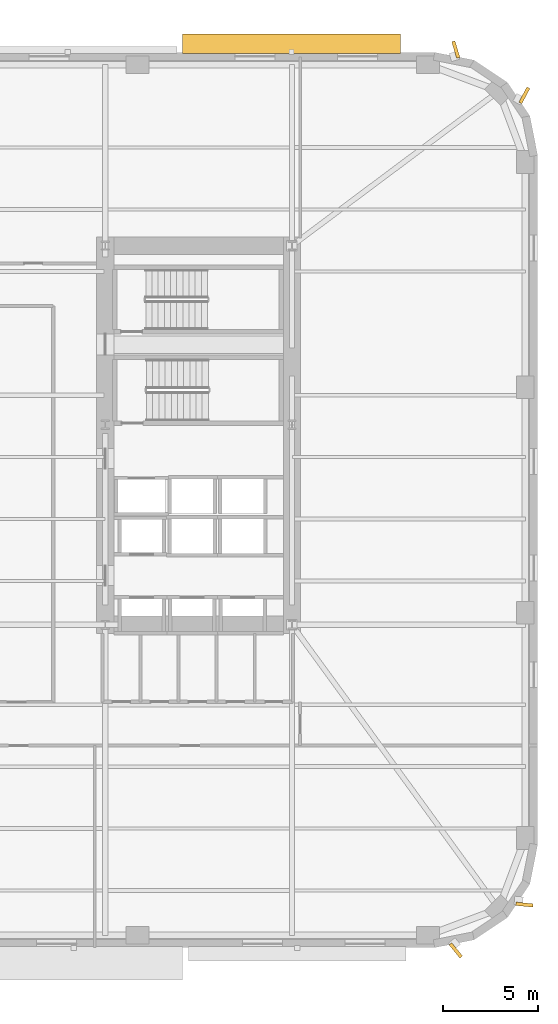
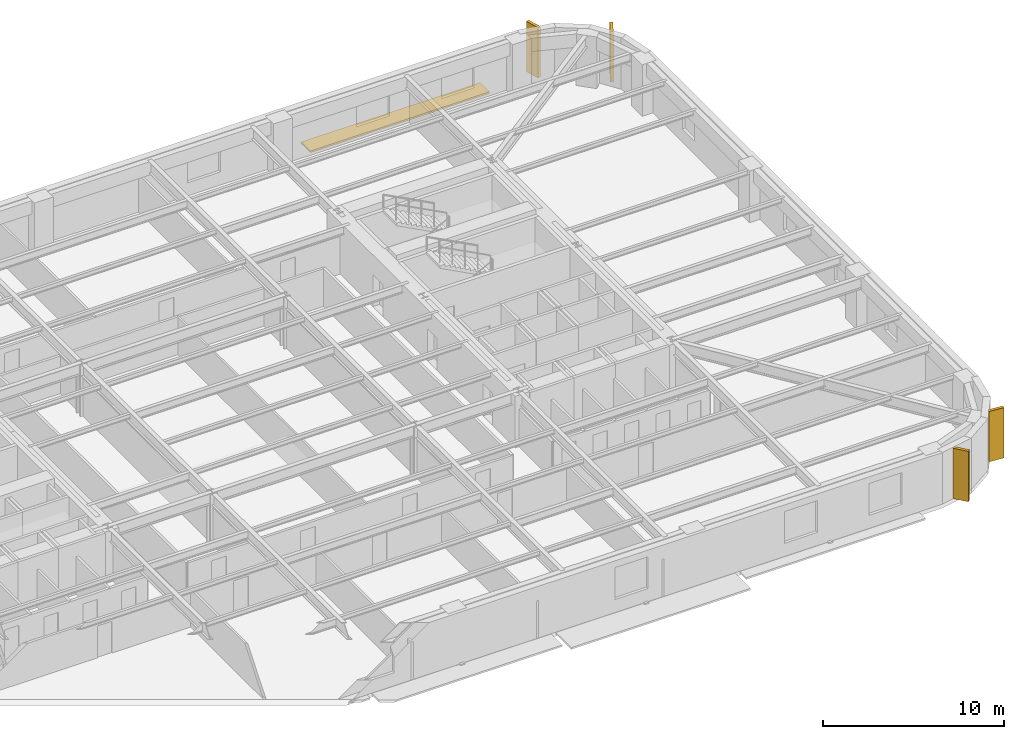
# One storey, part 15 of 15: 5 shading devices.
"""IFC4 building model written with IfcOpenShell, lengths in metres."""

from ifc_helpers import new_model, si_unit, direction, frame, origin, origin_2d, place, context, subcontext, project, spatial, rectangle, extrude, material, type_object, element, save


model = new_model("IFC4")

# Units and contexts
model_context = context("Model", 3, precision=1e-05, world=origin(), true_north=direction((0.0, 1.0)))
body_context = subcontext(model_context, "Body", "Model", "MODEL_VIEW")
ifc_project = project(units=[si_unit("LENGTHUNIT", "METRE"), si_unit("AREAUNIT", "SQUARE_METRE"), si_unit("VOLUMEUNIT", "CUBIC_METRE"), si_unit("PLANEANGLEUNIT", "RADIAN"), si_unit("MASSUNIT", "GRAM", prefix="KILO")], contexts=[model_context])

# Site, building, storey
site_placement = place(None, origin())
site = spatial("IfcSite", under=ifc_project, at=site_placement, CompositionType="ELEMENT")
building_placement = place(site_placement, origin())
building = spatial("IfcBuilding", under=site, at=building_placement, Name="Kolvaren Arena Tower", CompositionType="ELEMENT")
storey_placement = place(building_placement, frame((0.0, 0.0, 49.5)))
storey = spatial("IfcBuildingStorey", under=building, at=storey_placement, Name="L09", CompositionType="ELEMENT", Elevation=49.5)

# Shading devices
ifc_material_1 = material(Name="Precast architectural concrete C50/60 rib fin", Category="concrete")
shading_device_type_1 = type_object("IfcShadingDeviceType", Name="SHAD-FIN-28", PredefinedType="USERDEFINED", material=ifc_material_1)
for number, where, z_axis, x_axis, name in (
    (1, (68.95361328125, 2.3525390625, 0.02001953125), (0.0, 0.0, 1.0), (0.632722898811, -0.774378288254, 0.0), "Precast 28-Deg Corner Rib Fin (L09)"),
    (2, (72.552978515625, 4.757568359375, 0.02001953125), (0.0, 0.0, 1.0), (0.994971840066, -0.100155067151, 0.0), "Precast 28-Deg Corner Rib Fin (L09)"),
    (3, (72.552978515625, 47.242431640625, 0.02001953125), (0.0, 0.0, 1.0), (0.473348878368, 0.880875041846, 0.0), "Precast 28-Deg Corner Rib Fin (L09)"),
    (4, (68.95361328125, 49.6474609375, 0.02001953125), (0.0, 0.0, 1.0), (-0.288174541455, 0.957577899524, 0.0), "Precast 28-Deg Corner Rib Fin (L09)"),
):
    element("IfcShadingDevice", number, at=place(storey_placement, frame(where, z_axis=z_axis, x_axis=x_axis)), inside=storey, type_object=shading_device_type_1, Name=name, ObjectType="FIN", PredefinedType="USERDEFINED", context=body_context, shape_type="SweptSolid", body=[
        extrude(rectangle(XDim=0.89990234375, YDim=0.179931640625, at=origin_2d()), origin(), (0.0, 0.0, 1.0), 3.39990234375),
    ])
ifc_material_2 = material(Name="Architectural precast GFRC and anodised aluminium sunshade", Category="concrete")
shading_device_type_2 = type_object("IfcShadingDeviceType", Name="SHAD-SINE-A", PredefinedType="USERDEFINED", material=ifc_material_2)
shading_device_placement = place(storey_placement, frame((60.330078125, 49.9619140625, -0.14013671875), z_axis=(0.0, 0.0, 1.0), x_axis=(1.0, 0.0, 0.0)))
element("IfcShadingDevice", 5, at=shading_device_placement, inside=storey, type_object=shading_device_type_2, Name="Sinusoidal Slab-Edge Sunshade Louvre (L09)", ObjectType="LOUVRE", PredefinedType="USERDEFINED", context=body_context, shape_type="SweptSolid", body=[
    extrude(rectangle(XDim=11.43994140625, YDim=1.023681640625, at=origin_2d()), origin(), (0.0, 0.0, 1.0), 0.1201171875),
])

save(model, "model.ifc")
